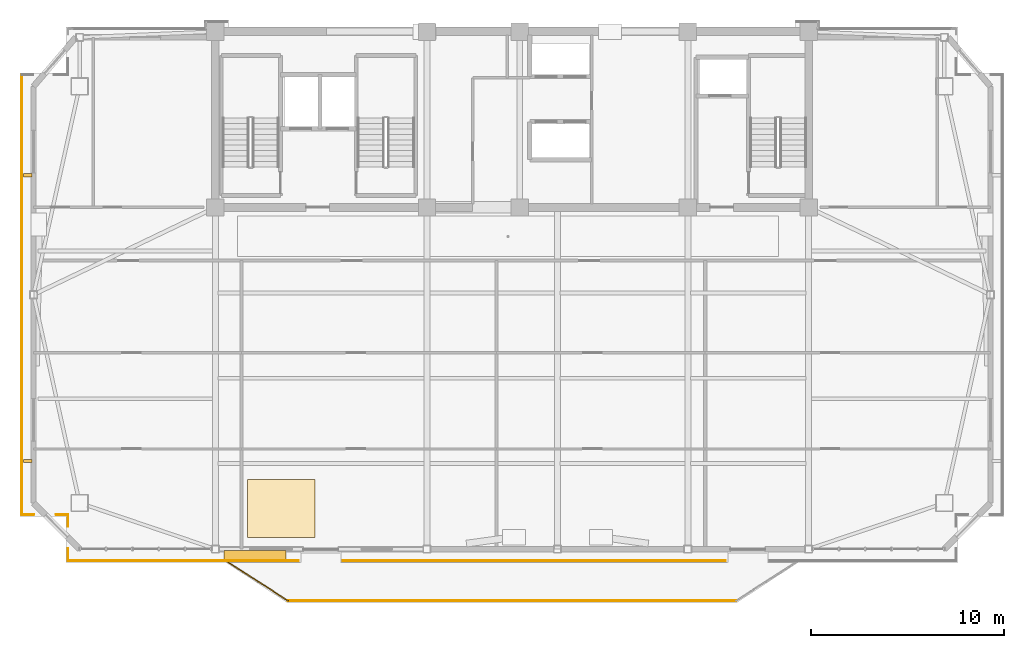
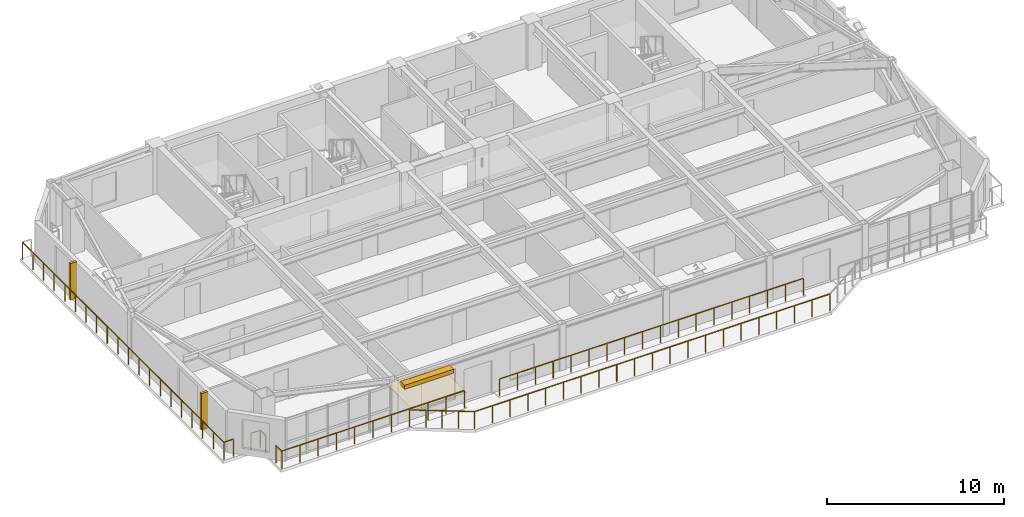
# One storey, part 10 of 13: 9 railings, 3 shading devices, 1 covering.
"""IFC4 building model written with IfcOpenShell, lengths in metres."""

import ifcopenshell
import ifcopenshell.guid

model = None  # the IFC model being written
_history = None  # IfcOwnerHistory: only IFC2X3 demands one
_inside = {}  # id of a spatial element -> (the spatial element, [elements in it])
_under = {}  # id of a project, library or spatial element -> (it, [spatial elements below it])
_declared = {}  # id of a project -> (the project, [libraries it declares])
_typed = {}  # id of a type object -> (the type object, [elements of that type])
_made_of = {}  # id of a material, layer set ... -> (it, [elements and type objects made of it])


def new_model(schema):
    """Start an empty IFC model of exactly this schema.

    Asked for "IFC4X3", IfcOpenShell would pick the latest addendum, in which some entities
    have other attributes; the version numbers below select the first issue.
    IFC2X3 requires an IfcOwnerHistory on every rooted entity: one is made here for all.
    """
    global model, _history
    if schema == "IFC4X3":
        model = ifcopenshell.file(schema_version=(4, 3, 0, 0))
    else:
        model = ifcopenshell.file(schema=schema)
    _inside.clear()
    _under.clear()
    _declared.clear()
    _typed.clear()
    _made_of.clear()
    _history = None
    if model.schema == "IFC2X3":
        org = make("IfcOrganization", Name="unknown")
        user = make(
            "IfcPersonAndOrganization",
            ThePerson=make("IfcPerson", FamilyName="unknown"),
            TheOrganization=org,
        )
        app = make(
            "IfcApplication",
            ApplicationDeveloper=org,
            Version="unknown",
            ApplicationFullName="unknown",
            ApplicationIdentifier="unknown",
        )
        _history = make(
            "IfcOwnerHistory",
            OwningUser=user,
            OwningApplication=app,
            ChangeAction="ADDED",
            CreationDate=0,
        )
    return model


def make(cls, **values):
    """One entity of the class cls with the attributes given. An attribute that is None is left unset."""
    return model.create_entity(
        cls, **{name: value for name, value in values.items() if value is not None}
    )


def rooted(cls, **values):
    """An entity with a GlobalId (a new one), such as an element, a storey or a relation."""
    return make(cls, GlobalId=ifcopenshell.guid.new(), OwnerHistory=_history, **values)


def si_unit(unit_type, name, prefix=None):
    """IfcSIUnit, for example si_unit("LENGTHUNIT", "METRE", prefix="MILLI")."""
    return make("IfcSIUnit", UnitType=unit_type, Prefix=prefix, Name=name)


def assignment(units):
    """IfcUnitAssignment: the units of a project."""
    return None if units is None else make("IfcUnitAssignment", Units=units)


def point(xyz):
    """IfcCartesianPoint."""
    return None if xyz is None else make("IfcCartesianPoint", Coordinates=xyz)


def direction(xyz):
    """IfcDirection."""
    return None if xyz is None else make("IfcDirection", DirectionRatios=xyz)


def frame(location, z_axis=None, x_axis=None):
    """IfcAxis2Placement3D, a coordinate frame: its origin and axes. An axis left out is left unset."""
    return make(
        "IfcAxis2Placement3D",
        Location=point(location),
        Axis=direction(z_axis),
        RefDirection=direction(x_axis),
    )


def frame_2d(location, x_axis=None):
    """IfcAxis2Placement2D, a coordinate frame in the plane: its origin and x axis."""
    return make(
        "IfcAxis2Placement2D", Location=point(location), RefDirection=direction(x_axis)
    )


def origin():
    """The frame at (0, 0, 0) with its axes left unset."""
    return frame((0.0, 0.0, 0.0))


def origin_2d():
    """The frame at (0, 0) in the plane with its x axis left unset."""
    return frame_2d((0.0, 0.0))


def place(relative_to, where):
    """IfcLocalPlacement: puts the frame where relative to a parent placement (None: the world)."""
    return make(
        "IfcLocalPlacement", PlacementRelTo=relative_to, RelativePlacement=where
    )


def context(
    kind, dimensions, precision=None, world=None, true_north=None, identifier=None
):
    """IfcGeometricRepresentationContext, for example the 3D "Model" context."""
    return make(
        "IfcGeometricRepresentationContext",
        ContextIdentifier=identifier,
        ContextType=kind,
        CoordinateSpaceDimension=dimensions,
        Precision=precision,
        WorldCoordinateSystem=world,
        TrueNorth=true_north,
    )


def subcontext(parent, identifier, kind, view, scale=None):
    """IfcGeometricRepresentationSubContext, for example "Body" below "Model"."""
    return make(
        "IfcGeometricRepresentationSubContext",
        ContextIdentifier=identifier,
        ContextType=kind,
        ParentContext=parent,
        TargetScale=scale,
        TargetView=view,
    )


def project(units=None, contexts=None):
    """IfcProject with its units and contexts."""
    return rooted(
        "IfcProject",
        Name="project",
        RepresentationContexts=contexts,
        UnitsInContext=assignment(units),
    )


def spatial(cls, under=None, at=None, **own):
    """A site, building, storey or space (cls), placed at a placement, below another one or the project."""
    s = rooted(cls, ObjectPlacement=at, **own)
    if under is not None:
        _under.setdefault(under.id(), (under, []))[1].append(s)
    return s


def polyline(points):
    """IfcPolyline through the points."""
    return make("IfcPolyline", Points=[point(p) for p in points])


def profile(cls, at=None, kind="AREA", **sizes):
    """A parametric profile (cls). Its sizes go by their IFC names, for example OverallWidth=200.0."""
    return make(cls, ProfileType=kind, Position=at, **sizes)


def rectangle(**sizes):
    """IfcRectangleProfileDef."""
    return profile("IfcRectangleProfileDef", **sizes)


def outline(outer, holes=None, kind="AREA"):
    """IfcArbitraryClosedProfileDef: a profile drawn as a closed curve; with holes, ...WithVoids."""
    if holes is None:
        return make("IfcArbitraryClosedProfileDef", ProfileType=kind, OuterCurve=outer)
    return make(
        "IfcArbitraryProfileDefWithVoids",
        ProfileType=kind,
        OuterCurve=outer,
        InnerCurves=holes,
    )


def extrude(swept, where, along, depth):
    """IfcExtrudedAreaSolid: the profile swept, set in the frame where, extruded along a direction by depth."""
    return make(
        "IfcExtrudedAreaSolid",
        SweptArea=swept,
        Position=where,
        ExtrudedDirection=direction(along),
        Depth=depth,
    )


def shape(context_of_items, identifier, shape_type, items):
    """IfcShapeRepresentation: the items that make up one representation, for example the "Body"."""
    return make(
        "IfcShapeRepresentation",
        ContextOfItems=context_of_items,
        RepresentationIdentifier=identifier,
        RepresentationType=shape_type,
        Items=items,
    )


def source(mapping_origin, context_of_items, identifier, shape_type, items):
    """IfcRepresentationMap: a shape defined once, which mapped items show again and again."""
    return make(
        "IfcRepresentationMap",
        MappingOrigin=mapping_origin,
        MappedRepresentation=shape(context_of_items, identifier, shape_type, items),
    )


def transform(
    local_origin,
    x_axis=None,
    y_axis=None,
    z_axis=None,
    scale=None,
    scale2=None,
    scale3=None,
    uniform=True,
):
    """IfcCartesianTransformationOperator3D, or its non-uniform kind. x_axis, y_axis, z_axis: its Axis1, 2, 3."""
    if uniform:
        return make(
            "IfcCartesianTransformationOperator3D",
            Axis1=direction(x_axis),
            Axis2=direction(y_axis),
            LocalOrigin=point(local_origin),
            Scale=scale,
            Axis3=direction(z_axis),
        )
    return make(
        "IfcCartesianTransformationOperator3DnonUniform",
        Axis1=direction(x_axis),
        Axis2=direction(y_axis),
        LocalOrigin=point(local_origin),
        Scale=scale,
        Axis3=direction(z_axis),
        Scale2=scale2,
        Scale3=scale3,
    )


def mapped(mapping_source, mapping_target):
    """IfcMappedItem: shows the shape of a source again, moved by a transform."""
    return make(
        "IfcMappedItem", MappingSource=mapping_source, MappingTarget=mapping_target
    )


def material(Name=None, Category=None):
    """IfcMaterial."""
    return make("IfcMaterial", Name=Name, Category=Category)


def layer(
    of_material, thickness, ventilated=None, Name=None, Category=None, Priority=None
):
    """IfcMaterialLayer: one layer of a wall or slab, of a material (None: an air gap)."""
    return make(
        "IfcMaterialLayer",
        Material=of_material,
        LayerThickness=thickness,
        IsVentilated=ventilated,
        Name=Name,
        Category=Category,
        Priority=Priority,
    )


def layer_set(layers, Name=None):
    """IfcMaterialLayerSet."""
    return make("IfcMaterialLayerSet", MaterialLayers=layers, LayerSetName=Name)


def made_of(thing, what):
    """Note that an element or type object is made of a material, layer set ...; save() writes the relation."""
    if what is not None:
        _made_of.setdefault(what.id(), (what, []))[1].append(thing)
    return thing


def type_object(cls, material=None, **own):
    """A type object (cls), such as IfcWallType, which elements share."""
    return made_of(rooted(cls, **own), material)


def element(
    cls,
    number,
    at=None,
    inside=None,
    cuts=None,
    type_object=None,
    material=None,
    context=None,
    identifier="Body",
    shape_type=None,
    held_by="IfcProductDefinitionShape",
    body=None,
    shapes=None,
    **own,
):
    """One element of the class cls, such as IfcWall. Its Tag is "e" and its number.

    at: its placement. inside: the storey or other place that contains it. cuts: it is an
    opening in that element (IfcRelVoidsElement). A single representation is given by context,
    identifier, shape_type and body (its items); several are given by shapes. held_by: the class
    of the entity that holds the representations. save() writes the other relations.
    """
    e = rooted(cls, Tag="e%d" % number, ObjectPlacement=at, **own)
    if body is not None:
        shapes = [shape(context, identifier, shape_type, body)]
    if shapes is not None:
        e.Representation = make(held_by, Representations=shapes)
    if inside is not None:
        _inside.setdefault(inside.id(), (inside, []))[1].append(e)
    if cuts is not None:
        rooted(
            "IfcRelVoidsElement", RelatingBuildingElement=cuts, RelatedOpeningElement=e
        )
    if type_object is not None:
        _typed.setdefault(type_object.id(), (type_object, []))[1].append(e)
    return made_of(e, material)


def aggregate(whole, parts):
    """IfcRelAggregates: a whole, such as a stair, and the parts it consists of."""
    return rooted("IfcRelAggregates", RelatingObject=whole, RelatedObjects=parts)


def save(model, path):
    """Write the relations noted so far, then the file.

    IfcRelAggregates (storeys below a building ...), IfcRelContainedInSpatialStructure (elements
    in a storey), IfcRelDefinesByType, IfcRelAssociatesMaterial and IfcRelDeclares: one each for
    every whole, place, type object, material and project.
    """
    for whole, parts in _under.values():
        aggregate(whole, parts)
    for where, things in _inside.values():
        rooted(
            "IfcRelContainedInSpatialStructure",
            RelatedElements=things,
            RelatingStructure=where,
        )
    for kind, things in _typed.values():
        rooted("IfcRelDefinesByType", RelatedObjects=things, RelatingType=kind)
    for what, things in _made_of.values():
        rooted("IfcRelAssociatesMaterial", RelatedObjects=things, RelatingMaterial=what)
    for by, libraries in _declared.values():
        rooted("IfcRelDeclares", RelatingContext=by, RelatedDefinitions=libraries)
    model.write(path)


model = new_model("IFC4")

# Units and contexts
model_context = context("Model", 3, precision=1e-05, world=origin(), true_north=direction((0.0, 1.0)))
body_context = subcontext(model_context, "Body", "Model", "MODEL_VIEW")
ifc_project = project(units=[si_unit("LENGTHUNIT", "METRE"), si_unit("AREAUNIT", "SQUARE_METRE"), si_unit("VOLUMEUNIT", "CUBIC_METRE"), si_unit("PLANEANGLEUNIT", "RADIAN"), si_unit("MASSUNIT", "GRAM", prefix="KILO")], contexts=[model_context])

# Site, building, storey
site_placement = place(None, origin())
site = spatial("IfcSite", under=ifc_project, at=site_placement, CompositionType="ELEMENT")
building_placement = place(site_placement, origin())
building = spatial("IfcBuilding", under=site, at=building_placement, Name="Giltprow Tower", CompositionType="ELEMENT")
storey_placement = place(building_placement, frame((0.0, 0.0, 307.39990234375)))
storey = spatial("IfcBuildingStorey", under=building, at=storey_placement, Name="L79", CompositionType="ELEMENT", Elevation=307.39990234375)

# Covering
ifc_material_1 = material(Name="Engineered oak", Category="wood")
ifc_layer = layer(ifc_material_1, 0.02490234375, Name="Engineered oak")
ifc_layer_set = layer_set([ifc_layer], Name="Engineered oak")
covering_type = type_object("IfcCoveringType", Name="COV-FLR-TIMBER", PredefinedType="FLOORING", material=ifc_layer_set)
covering_placement = place(storey_placement, origin())
element("IfcCovering", 1, at=covering_placement, inside=storey, type_object=covering_type, Name="L79 Residence Oak Parquet Flooring", PredefinedType="FLOORING", context=body_context, shape_type="SweptSolid", body=[
    extrude(outline(polyline([(21.5, 20.3720703125), (25.0, 20.3720703125), (25.0, 23.3720703125), (21.5, 23.3720703125), (21.5, 20.3720703125)])), origin(), (0.0, 0.0, 1.0), 0.025146484375),
])

# Railings
ifc_material_2 = material(Name="Anodized bronze", Category="metal")
railing_type = type_object("IfcRailingType", Name="RAIL-BALC-GUARD-1200", PredefinedType="BALUSTRADE", material=ifc_material_2)
railing_1_placement = place(storey_placement, frame((20.52001953125, 19.072021484375, 0.0)))
element("IfcRailing", 2, at=railing_1_placement, inside=storey, type_object=railing_type, Name="L79 Waterfront Balcony Balustrade Seg 1", PredefinedType="BALUSTRADE", context=body_context, shape_type="SweptSolid", body=[
    extrude(rectangle(XDim=0.048095703125, YDim=0.048095703125, at=origin_2d()), frame((0.0, 0.0, 1.17578125), z_axis=(0.84277487735, -0.538266203757, 0.0), x_axis=(0.538266203757, 0.84277487735, 0.0)), (0.0, 0.0, 1.0), 3.678466796875),
    extrude(rectangle(XDim=0.0419921875, YDim=0.0419921875, at=origin_2d()), origin(), (0.0, 0.0, 1.0), 1.15185546875),
    extrude(rectangle(XDim=0.0419921875, YDim=0.0419921875, at=origin_2d()), frame((0.77490234375, -0.4951171875, 0.0)), (0.0, 0.0, 1.0), 1.15185546875),
    extrude(rectangle(XDim=0.0419921875, YDim=0.0419921875, at=origin_2d()), frame((1.550048828125, -0.989990234375, 0.0)), (0.0, 0.0, 1.0), 1.15185546875),
    extrude(rectangle(XDim=0.0419921875, YDim=0.0419921875, at=origin_2d()), frame((2.3251953125, -1.48486328125, 0.0)), (0.0, 0.0, 1.0), 1.15185546875),
    extrude(rectangle(XDim=0.0419921875, YDim=0.0419921875, at=origin_2d()), frame((3.10009765625, -1.97998046875, 0.0)), (0.0, 0.0, 1.0), 1.15185546875),
])
railing_2_placement = place(storey_placement, frame((23.6201171875, 17.092041015625, 0.0)))
element("IfcRailing", 3, at=railing_2_placement, inside=storey, type_object=railing_type, Name="L79 Waterfront Balcony Balustrade Seg 2", PredefinedType="BALUSTRADE", context=body_context, shape_type="SweptSolid", body=[
    extrude(rectangle(XDim=0.048095703125, YDim=0.048095703125, at=origin_2d()), frame((0.0, 0.0, 1.17578125), z_axis=(1.0, 0.0, 0.0), x_axis=(0.0, 1.0, 0.0)), (0.0, 0.0, 1.0), 23.159912109375),
    extrude(rectangle(XDim=0.0419921875, YDim=0.0419921875, at=origin_2d()), origin(), (0.0, 0.0, 1.0), 1.15185546875),
    extrude(rectangle(XDim=0.0419921875, YDim=0.0419921875, at=origin_2d()), frame((1.157958984375, 0.0, 0.0)), (0.0, 0.0, 1.0), 1.15185546875),
    extrude(rectangle(XDim=0.0419921875, YDim=0.0419921875, at=origin_2d()), frame((2.31591796875, 0.0, 0.0)), (0.0, 0.0, 1.0), 1.15185546875),
    extrude(rectangle(XDim=0.0419921875, YDim=0.0419921875, at=origin_2d()), frame((3.473876953125, 0.0, 0.0)), (0.0, 0.0, 1.0), 1.15185546875),
    extrude(rectangle(XDim=0.0419921875, YDim=0.0419921875, at=origin_2d()), frame((4.632080078125, 0.0, 0.0)), (0.0, 0.0, 1.0), 1.15185546875),
    extrude(rectangle(XDim=0.0419921875, YDim=0.0419921875, at=origin_2d()), frame((5.7900390625, 0.0, 0.0)), (0.0, 0.0, 1.0), 1.15185546875),
    extrude(rectangle(XDim=0.0419921875, YDim=0.0419921875, at=origin_2d()), frame((6.947998046875, 0.0, 0.0)), (0.0, 0.0, 1.0), 1.15185546875),
    extrude(rectangle(XDim=0.0419921875, YDim=0.0419921875, at=origin_2d()), frame((8.10595703125, 0.0, 0.0)), (0.0, 0.0, 1.0), 1.15185546875),
    extrude(rectangle(XDim=0.0419921875, YDim=0.0419921875, at=origin_2d()), frame((9.263916015625, 0.0, 0.0)), (0.0, 0.0, 1.0), 1.15185546875),
    extrude(rectangle(XDim=0.0419921875, YDim=0.0419921875, at=origin_2d()), frame((10.421875, 0.0, 0.0)), (0.0, 0.0, 1.0), 1.15185546875),
    extrude(rectangle(XDim=0.0419921875, YDim=0.0419921875, at=origin_2d()), frame((11.580078125, 0.0, 0.0)), (0.0, 0.0, 1.0), 1.15185546875),
    extrude(rectangle(XDim=0.0419921875, YDim=0.0419921875, at=origin_2d()), frame((12.738037109375, 0.0, 0.0)), (0.0, 0.0, 1.0), 1.15185546875),
    extrude(rectangle(XDim=0.0419921875, YDim=0.0419921875, at=origin_2d()), frame((13.89599609375, 0.0, 0.0)), (0.0, 0.0, 1.0), 1.15185546875),
    extrude(rectangle(XDim=0.0419921875, YDim=0.0419921875, at=origin_2d()), frame((15.053955078125, 0.0, 0.0)), (0.0, 0.0, 1.0), 1.15185546875),
    extrude(rectangle(XDim=0.0419921875, YDim=0.0419921875, at=origin_2d()), frame((16.2119140625, 0.0, 0.0)), (0.0, 0.0, 1.0), 1.15185546875),
    extrude(rectangle(XDim=0.0419921875, YDim=0.0419921875, at=origin_2d()), frame((17.369873046875, 0.0, 0.0)), (0.0, 0.0, 1.0), 1.15185546875),
    extrude(rectangle(XDim=0.0419921875, YDim=0.0419921875, at=origin_2d()), frame((18.52783203125, 0.0, 0.0)), (0.0, 0.0, 1.0), 1.15185546875),
    extrude(rectangle(XDim=0.0419921875, YDim=0.0419921875, at=origin_2d()), frame((19.68603515625, 0.0, 0.0)), (0.0, 0.0, 1.0), 1.15185546875),
    extrude(rectangle(XDim=0.0419921875, YDim=0.0419921875, at=origin_2d()), frame((20.843994140625, 0.0, 0.0)), (0.0, 0.0, 1.0), 1.15185546875),
    extrude(rectangle(XDim=0.0419921875, YDim=0.0419921875, at=origin_2d()), frame((22.001953125, 0.0, 0.0)), (0.0, 0.0, 1.0), 1.15185546875),
    extrude(rectangle(XDim=0.0419921875, YDim=0.0419921875, at=origin_2d()), frame((23.159912109375, 0.0, 0.0)), (0.0, 0.0, 1.0), 1.15185546875),
])
railing_3_placement = place(storey_placement, frame((46.25, 19.172119140625, 0.0)))
element("IfcRailing", 4, at=railing_3_placement, inside=storey, type_object=railing_type, Name="L79 Corner Apron Edge Balustrade 7", PredefinedType="BALUSTRADE", context=body_context, shape_type="SweptSolid", body=[
    extrude(rectangle(XDim=0.048095703125, YDim=0.048095703125, at=origin_2d()), frame((0.0, 0.0, 1.17578125), z_axis=(-1.0, 0.0, 0.0), x_axis=(0.0, -1.0, 0.0)), (0.0, 0.0, 1.0), 19.800048828125),
    extrude(rectangle(XDim=0.0419921875, YDim=0.0419921875, at=origin_2d()), origin(), (0.0, 0.0, 1.0), 1.15185546875),
    extrude(rectangle(XDim=0.0419921875, YDim=0.0419921875, at=origin_2d()), frame((-1.164794921875, 0.0, 0.0)), (0.0, 0.0, 1.0), 1.15185546875),
    extrude(rectangle(XDim=0.0419921875, YDim=0.0419921875, at=origin_2d()), frame((-2.329345703125, 0.0, 0.0)), (0.0, 0.0, 1.0), 1.15185546875),
    extrude(rectangle(XDim=0.0419921875, YDim=0.0419921875, at=origin_2d()), frame((-3.494140625, 0.0, 0.0)), (0.0, 0.0, 1.0), 1.15185546875),
    extrude(rectangle(XDim=0.0419921875, YDim=0.0419921875, at=origin_2d()), frame((-4.658935546875, 0.0, 0.0)), (0.0, 0.0, 1.0), 1.15185546875),
    extrude(rectangle(XDim=0.0419921875, YDim=0.0419921875, at=origin_2d()), frame((-5.823486328125, 0.0, 0.0)), (0.0, 0.0, 1.0), 1.15185546875),
    extrude(rectangle(XDim=0.0419921875, YDim=0.0419921875, at=origin_2d()), frame((-6.98828125, 0.0, 0.0)), (0.0, 0.0, 1.0), 1.15185546875),
    extrude(rectangle(XDim=0.0419921875, YDim=0.0419921875, at=origin_2d()), frame((-8.153076171875, 0.0, 0.0)), (0.0, 0.0, 1.0), 1.15185546875),
    extrude(rectangle(XDim=0.0419921875, YDim=0.0419921875, at=origin_2d()), frame((-9.317626953125, 0.0, 0.0)), (0.0, 0.0, 1.0), 1.15185546875),
    extrude(rectangle(XDim=0.0419921875, YDim=0.0419921875, at=origin_2d()), frame((-10.482421875, 0.0, 0.0)), (0.0, 0.0, 1.0), 1.15185546875),
    extrude(rectangle(XDim=0.0419921875, YDim=0.0419921875, at=origin_2d()), frame((-11.64697265625, 0.0, 0.0)), (0.0, 0.0, 1.0), 1.15185546875),
    extrude(rectangle(XDim=0.0419921875, YDim=0.0419921875, at=origin_2d()), frame((-12.811767578125, 0.0, 0.0)), (0.0, 0.0, 1.0), 1.15185546875),
    extrude(rectangle(XDim=0.0419921875, YDim=0.0419921875, at=origin_2d()), frame((-13.9765625, 0.0, 0.0)), (0.0, 0.0, 1.0), 1.15185546875),
    extrude(rectangle(XDim=0.0419921875, YDim=0.0419921875, at=origin_2d()), frame((-15.14111328125, 0.0, 0.0)), (0.0, 0.0, 1.0), 1.15185546875),
    extrude(rectangle(XDim=0.0419921875, YDim=0.0419921875, at=origin_2d()), frame((-16.305908203125, 0.0, 0.0)), (0.0, 0.0, 1.0), 1.15185546875),
    extrude(rectangle(XDim=0.0419921875, YDim=0.0419921875, at=origin_2d()), frame((-17.470703125, 0.0, 0.0)), (0.0, 0.0, 1.0), 1.15185546875),
    extrude(rectangle(XDim=0.0419921875, YDim=0.0419921875, at=origin_2d()), frame((-18.63525390625, 0.0, 0.0)), (0.0, 0.0, 1.0), 1.15185546875),
    extrude(rectangle(XDim=0.0419921875, YDim=0.0419921875, at=origin_2d()), frame((-19.800048828125, 0.0, 0.0)), (0.0, 0.0, 1.0), 1.15185546875),
])
railing_4_placement = place(storey_placement, frame((24.14990234375, 19.172119140625, 0.0)))
element("IfcRailing", 5, at=railing_4_placement, inside=storey, type_object=railing_type, Name="L79 Corner Apron Edge Balustrade 8", PredefinedType="BALUSTRADE", context=body_context, shape_type="SweptSolid", body=[
    extrude(rectangle(XDim=0.048095703125, YDim=0.048095703125, at=origin_2d()), frame((0.0, 0.0, 1.17578125), z_axis=(-1.0, 0.0, 0.0), x_axis=(0.0, -1.0, 0.0)), (0.0, 0.0, 1.0), 11.9248046875),
    extrude(rectangle(XDim=0.0419921875, YDim=0.0419921875, at=origin_2d()), origin(), (0.0, 0.0, 1.0), 1.15185546875),
    extrude(rectangle(XDim=0.0419921875, YDim=0.0419921875, at=origin_2d()), frame((-1.1923828125, 0.0, 0.0)), (0.0, 0.0, 1.0), 1.15185546875),
    extrude(rectangle(XDim=0.0419921875, YDim=0.0419921875, at=origin_2d()), frame((-2.385009765625, 0.0, 0.0)), (0.0, 0.0, 1.0), 1.15185546875),
    extrude(rectangle(XDim=0.0419921875, YDim=0.0419921875, at=origin_2d()), frame((-3.577392578125, 0.0, 0.0)), (0.0, 0.0, 1.0), 1.15185546875),
    extrude(rectangle(XDim=0.0419921875, YDim=0.0419921875, at=origin_2d()), frame((-4.77001953125, 0.0, 0.0)), (0.0, 0.0, 1.0), 1.15185546875),
    extrude(rectangle(XDim=0.0419921875, YDim=0.0419921875, at=origin_2d()), frame((-5.96240234375, 0.0, 0.0)), (0.0, 0.0, 1.0), 1.15185546875),
    extrude(rectangle(XDim=0.0419921875, YDim=0.0419921875, at=origin_2d()), frame((-7.15478515625, 0.0, 0.0)), (0.0, 0.0, 1.0), 1.15185546875),
    extrude(rectangle(XDim=0.0419921875, YDim=0.0419921875, at=origin_2d()), frame((-8.347412109375, 0.0, 0.0)), (0.0, 0.0, 1.0), 1.15185546875),
    extrude(rectangle(XDim=0.0419921875, YDim=0.0419921875, at=origin_2d()), frame((-9.539794921875, 0.0, 0.0)), (0.0, 0.0, 1.0), 1.15185546875),
    extrude(rectangle(XDim=0.0419921875, YDim=0.0419921875, at=origin_2d()), frame((-10.732421875, 0.0, 0.0)), (0.0, 0.0, 1.0), 1.15185546875),
    extrude(rectangle(XDim=0.0419921875, YDim=0.0419921875, at=origin_2d()), frame((-11.9248046875, 0.0, 0.0)), (0.0, 0.0, 1.0), 1.15185546875),
])
railing_5_placement = place(storey_placement, frame((12.22509765625, 19.172119140625, 0.0)))
element("IfcRailing", 6, at=railing_5_placement, inside=storey, type_object=railing_type, Name="L79 Corner Apron Edge Balustrade 9", PredefinedType="BALUSTRADE", context=body_context, shape_type="SweptSolid", body=[
    extrude(rectangle(XDim=0.048095703125, YDim=0.048095703125, at=origin_2d()), frame((0.0, 0.0, 1.17578125), z_axis=(0.0, 1.0, 0.0), x_axis=(-1.0, 0.0, 0.0)), (0.0, 0.0, 1.0), 0.619873046875),
    extrude(rectangle(XDim=0.0419921875, YDim=0.0419921875, at=origin_2d()), origin(), (0.0, 0.0, 1.0), 1.15185546875),
    extrude(rectangle(XDim=0.0419921875, YDim=0.0419921875, at=origin_2d()), frame((0.0, 0.619873046875, 0.0)), (0.0, 0.0, 1.0), 1.15185546875),
])
railing_6_placement = place(storey_placement, frame((12.22509765625, 20.951904296875, 0.0)))
element("IfcRailing", 7, at=railing_6_placement, inside=storey, type_object=railing_type, Name="L79 Corner Apron Edge Balustrade 10", PredefinedType="BALUSTRADE", context=body_context, shape_type="SweptSolid", body=[
    extrude(rectangle(XDim=0.048095703125, YDim=0.048095703125, at=origin_2d()), frame((0.0, 0.0, 1.17578125), z_axis=(0.0, 1.0, 0.0), x_axis=(-1.0, 0.0, 0.0)), (0.0, 0.0, 1.0), 0.60498046875),
    extrude(rectangle(XDim=0.0419921875, YDim=0.0419921875, at=origin_2d()), origin(), (0.0, 0.0, 1.0), 1.15185546875),
    extrude(rectangle(XDim=0.0419921875, YDim=0.0419921875, at=origin_2d()), frame((0.0, 0.60498046875, 0.0)), (0.0, 0.0, 1.0), 1.15185546875),
])
railing_7_placement = place(storey_placement, frame((12.22509765625, 21.556884765625, 0.0)))
element("IfcRailing", 8, at=railing_7_placement, inside=storey, type_object=railing_type, Name="L79 Corner Apron Edge Balustrade 11", PredefinedType="BALUSTRADE", context=body_context, shape_type="SweptSolid", body=[
    extrude(rectangle(XDim=0.048095703125, YDim=0.048095703125, at=origin_2d()), frame((0.0, 0.0, 1.17578125), z_axis=(-1.0, 0.0, 0.0), x_axis=(0.0, -1.0, 0.0)), (0.0, 0.0, 1.0), 0.60498046875),
    extrude(rectangle(XDim=0.0419921875, YDim=0.0419921875, at=origin_2d()), origin(), (0.0, 0.0, 1.0), 1.15185546875),
    extrude(rectangle(XDim=0.0419921875, YDim=0.0419921875, at=origin_2d()), frame((-0.60498046875, 0.0, 0.0)), (0.0, 0.0, 1.0), 1.15185546875),
])
railing_8_placement = place(storey_placement, frame((10.4599609375, 21.556884765625, 0.0)))
element("IfcRailing", 9, at=railing_8_placement, inside=storey, type_object=railing_type, Name="L79 Corner Apron Edge Balustrade 12", PredefinedType="BALUSTRADE", context=body_context, shape_type="SweptSolid", body=[
    extrude(rectangle(XDim=0.048095703125, YDim=0.048095703125, at=origin_2d()), frame((0.0, 0.0, 1.17578125), z_axis=(-1.0, 0.0, 0.0), x_axis=(0.0, -1.0, 0.0)), (0.0, 0.0, 1.0), 0.619873046875),
    extrude(rectangle(XDim=0.0419921875, YDim=0.0419921875, at=origin_2d()), origin(), (0.0, 0.0, 1.0), 1.15185546875),
    extrude(rectangle(XDim=0.0419921875, YDim=0.0419921875, at=origin_2d()), frame((-0.619873046875, 0.0, 0.0)), (0.0, 0.0, 1.0), 1.15185546875),
])
railing_9_placement = place(storey_placement, frame((9.840087890625, 21.556884765625, 0.0)))
element("IfcRailing", 10, at=railing_9_placement, inside=storey, type_object=railing_type, Name="L79 Corner Apron Edge Balustrade 13", PredefinedType="BALUSTRADE", context=body_context, shape_type="SweptSolid", body=[
    extrude(rectangle(XDim=0.048095703125, YDim=0.048095703125, at=origin_2d()), frame((0.0, 0.0, 1.17578125), z_axis=(0.0, 1.0, 0.0), x_axis=(-1.0, 0.0, 0.0)), (0.0, 0.0, 1.0), 22.758056640625),
    extrude(rectangle(XDim=0.0419921875, YDim=0.0419921875, at=origin_2d()), origin(), (0.0, 0.0, 1.0), 1.15185546875),
    extrude(rectangle(XDim=0.0419921875, YDim=0.0419921875, at=origin_2d()), frame((0.0, 1.19775390625, 0.0)), (0.0, 0.0, 1.0), 1.15185546875),
    extrude(rectangle(XDim=0.0419921875, YDim=0.0419921875, at=origin_2d()), frame((0.0, 2.3955078125, 0.0)), (0.0, 0.0, 1.0), 1.15185546875),
    extrude(rectangle(XDim=0.0419921875, YDim=0.0419921875, at=origin_2d()), frame((0.0, 3.59326171875, 0.0)), (0.0, 0.0, 1.0), 1.15185546875),
    extrude(rectangle(XDim=0.0419921875, YDim=0.0419921875, at=origin_2d()), frame((0.0, 4.791259765625, 0.0)), (0.0, 0.0, 1.0), 1.15185546875),
    extrude(rectangle(XDim=0.0419921875, YDim=0.0419921875, at=origin_2d()), frame((0.0, 5.989013671875, 0.0)), (0.0, 0.0, 1.0), 1.15185546875),
    extrude(rectangle(XDim=0.0419921875, YDim=0.0419921875, at=origin_2d()), frame((0.0, 7.186767578125, 0.0)), (0.0, 0.0, 1.0), 1.15185546875),
    extrude(rectangle(XDim=0.0419921875, YDim=0.0419921875, at=origin_2d()), frame((0.0, 8.384521484375, 0.0)), (0.0, 0.0, 1.0), 1.15185546875),
    extrude(rectangle(XDim=0.0419921875, YDim=0.0419921875, at=origin_2d()), frame((0.0, 9.582275390625, 0.0)), (0.0, 0.0, 1.0), 1.15185546875),
    extrude(rectangle(XDim=0.0419921875, YDim=0.0419921875, at=origin_2d()), frame((0.0, 10.780029296875, 0.0)), (0.0, 0.0, 1.0), 1.15185546875),
    extrude(rectangle(XDim=0.0419921875, YDim=0.0419921875, at=origin_2d()), frame((0.0, 11.97802734375, 0.0)), (0.0, 0.0, 1.0), 1.15185546875),
    extrude(rectangle(XDim=0.0419921875, YDim=0.0419921875, at=origin_2d()), frame((0.0, 13.17578125, 0.0)), (0.0, 0.0, 1.0), 1.15185546875),
    extrude(rectangle(XDim=0.0419921875, YDim=0.0419921875, at=origin_2d()), frame((0.0, 14.37353515625, 0.0)), (0.0, 0.0, 1.0), 1.15185546875),
    extrude(rectangle(XDim=0.0419921875, YDim=0.0419921875, at=origin_2d()), frame((0.0, 15.5712890625, 0.0)), (0.0, 0.0, 1.0), 1.15185546875),
    extrude(rectangle(XDim=0.0419921875, YDim=0.0419921875, at=origin_2d()), frame((0.0, 16.76904296875, 0.0)), (0.0, 0.0, 1.0), 1.15185546875),
    extrude(rectangle(XDim=0.0419921875, YDim=0.0419921875, at=origin_2d()), frame((0.0, 17.966796875, 0.0)), (0.0, 0.0, 1.0), 1.15185546875),
    extrude(rectangle(XDim=0.0419921875, YDim=0.0419921875, at=origin_2d()), frame((0.0, 19.164794921875, 0.0)), (0.0, 0.0, 1.0), 1.15185546875),
    extrude(rectangle(XDim=0.0419921875, YDim=0.0419921875, at=origin_2d()), frame((0.0, 20.362548828125, 0.0)), (0.0, 0.0, 1.0), 1.15185546875),
    extrude(rectangle(XDim=0.0419921875, YDim=0.0419921875, at=origin_2d()), frame((0.0, 21.560302734375, 0.0)), (0.0, 0.0, 1.0), 1.15185546875),
    extrude(rectangle(XDim=0.0419921875, YDim=0.0419921875, at=origin_2d()), frame((0.0, 22.758056640625, 0.0)), (0.0, 0.0, 1.0), 1.15185546875),
])

# Shading devices
shading_device_type_1 = type_object("IfcShadingDeviceType", Name="SHD-FIN-420", PredefinedType="USERDEFINED", material=ifc_material_2)
shared_shape_1 = source(origin(), body_context, "Body", "SweptSolid", [
    extrude(rectangle(XDim=0.419921875, YDim=0.159912109375, at=origin_2d()), origin(), (0.0, 0.0, 1.0), 2.5),
])
for number, where, z_axis, x_axis, name in (
    (11, (10.139892578125, 24.337890625, 0.35009765625), (0.0, 0.0, 1.0), (1.0, 0.0, 0.0), "L79 W Bronze Vertical Fin 1-1"),
    (12, (10.139892578125, 39.117919921875, 0.35009765625), (0.0, 0.0, 1.0), (1.0, 0.0, 0.0), "L79 W Bronze Vertical Fin 2-1"),
):
    element("IfcShadingDevice", number, at=place(storey_placement, frame(where, z_axis=z_axis, x_axis=x_axis)), inside=storey, type_object=shading_device_type_1, Name=name, ObjectType="FIN", PredefinedType="USERDEFINED", context=body_context, shape_type="MappedRepresentation", body=[
        mapped(shared_shape_1, transform((0.0, 0.0, 0.0), x_axis=(1.0, 0.0, 0.0), y_axis=(0.0, 1.0, 0.0), z_axis=(0.0, 0.0, 1.0), scale=1.0)),
    ])
shading_device_type_2 = type_object("IfcShadingDeviceType", Name="SHD-LOUVRE-320", PredefinedType="JALOUSIE", material=ifc_material_2)
shared_shape_2 = source(origin(), body_context, "Body", "SweptSolid", [
    extrude(rectangle(XDim=3.199951171875, YDim=0.449951171875, at=origin_2d()), origin(), (0.0, 0.0, 1.0), 0.280029296875),
])
shading_device_placement = place(storey_placement, frame((21.89990234375, 19.471923828125, 2.56005859375), z_axis=(0.0, 0.0, 1.0), x_axis=(1.0, 0.0, 0.0)))
element("IfcShadingDevice", 13, at=shading_device_placement, inside=storey, type_object=shading_device_type_2, Name="L79 Bronze Sunshade Louvre S-2", PredefinedType="JALOUSIE", context=body_context, shape_type="MappedRepresentation", body=[
    mapped(shared_shape_2, transform((0.0, 0.0, 0.0), x_axis=(1.0, 0.0, 0.0), y_axis=(0.0, 1.0, 0.0), z_axis=(0.0, 0.0, 1.0), scale=1.0)),
])

save(model, "model.ifc")
